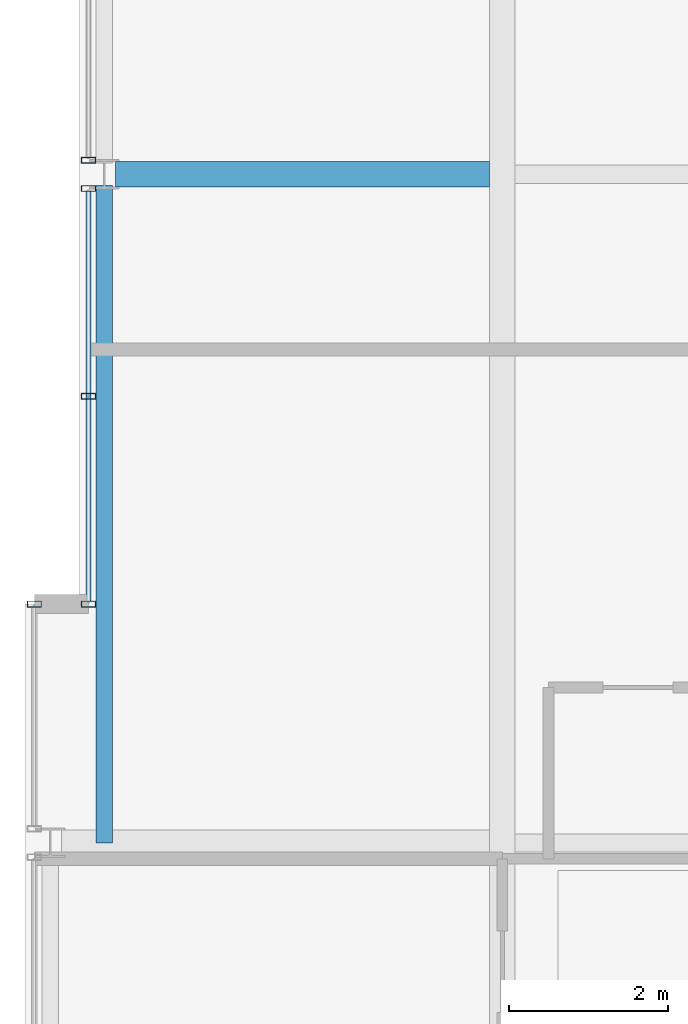
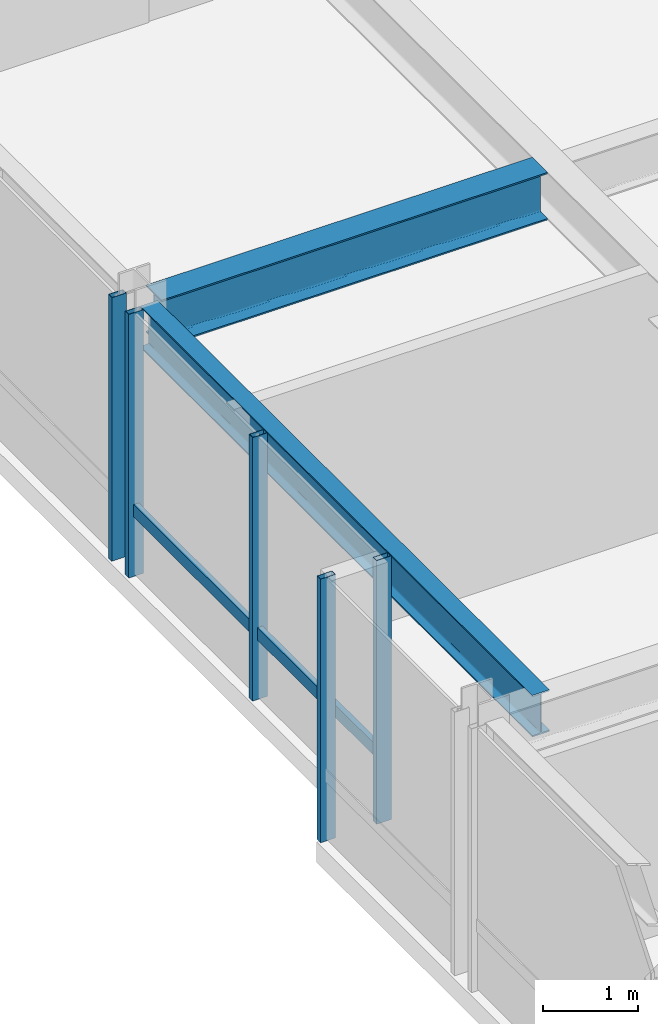
# One storey, part 11 of 33: 6 members, 2 beams, 3 elements without a shape of their own.
"""IFC4 building model written with IfcOpenShell, lengths in metres."""

from ifc_helpers import new_model, si_unit, direction, frame, origin, origin_2d, place, context, subcontext, project, spatial, hollow_rectangle, i_section, extrude, material, layer, layer_set, material_profile, profile_set, type_object, element, aggregate, save


model = new_model("IFC4")

# Units and contexts
model_context = context("Model", 3, precision=1e-05, world=origin(), true_north=direction((0.0, 1.0)))
body_context = subcontext(model_context, "Body", "Model", "MODEL_VIEW")
ifc_project = project(units=[si_unit("LENGTHUNIT", "METRE"), si_unit("AREAUNIT", "SQUARE_METRE"), si_unit("VOLUMEUNIT", "CUBIC_METRE"), si_unit("PLANEANGLEUNIT", "RADIAN"), si_unit("MASSUNIT", "GRAM", prefix="KILO")], contexts=[model_context])

# Site, building, storey
site_placement = place(None, origin())
site = spatial("IfcSite", under=ifc_project, at=site_placement, CompositionType="ELEMENT")
building_placement = place(site_placement, origin())
building = spatial("IfcBuilding", under=site, at=building_placement, Name="Drelvath Grand Hotel", CompositionType="ELEMENT")
storey_placement = place(building_placement, frame((0.0, 0.0, 268.64990234375)))
storey = spatial("IfcBuildingStorey", under=building, at=storey_placement, Name="L70", CompositionType="ELEMENT", Elevation=268.64990234375)

# Curtain wall, member
ifc_material_1 = material(Name="Platinum-Mist Anodised Aluminium Frame", Category="aluminium")
ifc_layer = layer(ifc_material_1, 0.199951171875)
ifc_layer_set = layer_set([ifc_layer], Name="Platinum-Mist Anodised Aluminium Frame")
curtain_wall_type = type_object("IfcCurtainWallType", Name="Stick Curtain Wall CW-05 Platinum Mist High-Rise", PredefinedType="NOTDEFINED", material=ifc_layer_set)
curtain_wall_1_placement = place(storey_placement, origin())
curtain_wall_1 = element("IfcCurtainWall", 1, at=curtain_wall_1_placement, inside=storey, type_object=curtain_wall_type, Name="L70 CW-05 Curtain Wall CW05-L70-WM1", PredefinedType="NOTDEFINED")
ifc_material_profile_1 = material_profile(ifc_material_1, hollow_rectangle(XDim=0.06494140625, YDim=0.159912109375, WallThickness=0.00390625, at=origin_2d()), Name="HSS160X65X4")
ifc_profile_set_1 = profile_set([ifc_material_profile_1], Name="Platinum-Mist Anodised Aluminium Frame")
member_type_1 = type_object("IfcMemberType", Name="Curtain Wall Horizontal Transom CW-05 HSS160X65X4", PredefinedType="USERDEFINED", material=ifc_profile_set_1)
member_1_placement = place(storey_placement, frame((-21.39990234375, 21.639892578125, 0.84765625), z_axis=(0.0, 1.0, 0.0), x_axis=(-1.0, 0.0, 0.0)))
member_1 = element("IfcMember", 2, at=member_1_placement, type_object=member_type_1, Name="CW05-L70-WM1 Sill Transom", ObjectType="TRANSOM", PredefinedType="USERDEFINED", context=body_context, shape_type="SweptSolid", body=[
    extrude(hollow_rectangle(XDim=0.06494140625, YDim=0.159912109375, WallThickness=0.00390625, at=origin_2d()), origin(), (0.0, 0.0, 1.0), 5.141845703125),
])

curtain_wall_2_placement = place(storey_placement, origin())
curtain_wall_2 = element("IfcCurtainWall", 3, at=curtain_wall_2_placement, inside=storey, type_object=curtain_wall_type, Name="L70 CW-05 Curtain Wall CW05-L70-WS2", PredefinedType="NOTDEFINED")
ifc_material_profile_2 = material_profile(ifc_material_1, hollow_rectangle(XDim=0.074951171875, YDim=0.179931640625, WallThickness=0.0048828125, at=origin_2d()), Name="HSS180X75X5")
ifc_profile_set_2 = profile_set([ifc_material_profile_2], Name="Platinum-Mist Anodised Aluminium Frame")
member_type_2 = type_object("IfcMemberType", Name="Curtain Wall Vertical Mullion CW-05 HSS180X75X5", PredefinedType="MULLION", material=ifc_profile_set_2)
member_2_placement = place(storey_placement, frame((-22.080078125, 21.60009765625, 0.0), z_axis=(0.0, 0.0, 1.0), x_axis=(0.0, 1.0, 0.0)))
member_2 = element("IfcMember", 4, at=member_2_placement, type_object=member_type_2, Name="CW05-L70-WS2 Mullion 2", PredefinedType="MULLION", context=body_context, shape_type="SweptSolid", body=[
    extrude(hollow_rectangle(XDim=0.074951171875, YDim=0.179931640625, WallThickness=0.0048828125, at=origin_2d()), origin(), (0.0, 0.0, 1.0), 3.39013671875),
])
aggregate(curtain_wall_2, [member_2])

# Member
member_3_placement = place(storey_placement, frame((-21.39990234375, 21.60009765625, 0.0), z_axis=(0.0, 0.0, 1.0), x_axis=(0.0, 1.0, 0.0)))
member_3 = element("IfcMember", 5, at=member_3_placement, type_object=member_type_2, Name="CW05-L70-WM1 Mullion 1", PredefinedType="MULLION", context=body_context, shape_type="SweptSolid", body=[
    extrude(hollow_rectangle(XDim=0.074951171875, YDim=0.179931640625, WallThickness=0.0048828125, at=origin_2d()), origin(), (0.0, 0.0, 1.0), 3.39013671875),
])

member_4_placement = place(storey_placement, frame((-21.39990234375, 24.2109375, 0.0), z_axis=(0.0, 0.0, 1.0), x_axis=(0.0, 1.0, 0.0)))
member_4 = element("IfcMember", 6, at=member_4_placement, type_object=member_type_2, Name="CW05-L70-WM1 Mullion 2", PredefinedType="MULLION", context=body_context, shape_type="SweptSolid", body=[
    extrude(hollow_rectangle(XDim=0.074951171875, YDim=0.179931640625, WallThickness=0.0048828125, at=origin_2d()), origin(), (0.0, 0.0, 1.0), 3.39013671875),
])

member_5_placement = place(storey_placement, frame((-21.39990234375, 26.82177734375, 0.0), z_axis=(0.0, 0.0, 1.0), x_axis=(0.0, 1.0, 0.0)))
member_5 = element("IfcMember", 7, at=member_5_placement, type_object=member_type_2, Name="CW05-L70-WM1 Mullion 3", PredefinedType="MULLION", context=body_context, shape_type="SweptSolid", body=[
    extrude(hollow_rectangle(XDim=0.074951171875, YDim=0.179931640625, WallThickness=0.0048828125, at=origin_2d()), origin(), (0.0, 0.0, 1.0), 3.39013671875),
])

aggregate(curtain_wall_1, [member_3, member_4, member_5, member_1])

# Curtain wall, member
curtain_wall_3_placement = place(storey_placement, origin())
curtain_wall_3 = element("IfcCurtainWall", 8, at=curtain_wall_3_placement, inside=storey, type_object=curtain_wall_type, Name="L70 CW-05 Curtain Wall CW05-L70-WM2", PredefinedType="NOTDEFINED")
member_6_placement = place(storey_placement, frame((-21.39990234375, 27.17822265625, 0.0), z_axis=(0.0, 0.0, 1.0), x_axis=(0.0, 1.0, 0.0)))
member_6 = element("IfcMember", 9, at=member_6_placement, type_object=member_type_2, Name="CW05-L70-WM2 Mullion 1", PredefinedType="MULLION", context=body_context, shape_type="SweptSolid", body=[
    extrude(hollow_rectangle(XDim=0.074951171875, YDim=0.179931640625, WallThickness=0.0048828125, at=origin_2d()), origin(), (0.0, 0.0, 1.0), 3.39013671875),
])
aggregate(curtain_wall_3, [member_6])

# Beams
ifc_material_2 = material(Name="Steel ASTM A992 Gr 50", Category="steel")
ifc_material_profile_3 = material_profile(ifc_material_2, i_section(OverallWidth=0.210205078125, OverallDepth=0.53662109375, WebThickness=0.010986328125, FlangeThickness=0.017333984375, FilletRadius=0.01806640625, at=origin_2d()), Name="W21X68")
ifc_profile_set_3 = profile_set([ifc_material_profile_3], Name="Steel ASTM A992 Gr 50")
beam_type_1 = type_object("IfcBeamType", Name="Perimeter Spandrel Beam W21X68", PredefinedType="SPANDREL", material=ifc_profile_set_3)
beam_1_placement = place(storey_placement, frame((-21.199951171875, 18.60009765625, 3.121826171875), z_axis=(0.0, 1.0, 0.0), x_axis=(-1.0, 0.0, 0.0)))
element("IfcBeam", 10, at=beam_1_placement, inside=storey, type_object=beam_type_1, Name="L70 Spandrel West Mid S", PredefinedType="SPANDREL", context=body_context, shape_type="SweptSolid", body=[
    extrude(i_section(OverallWidth=0.210205078125, OverallDepth=0.53662109375, WebThickness=0.010986328125, FlangeThickness=0.017333984375, FilletRadius=0.01806640625, at=origin_2d()), origin(), (0.0, 0.0, 1.0), 8.260009765625),
])
ifc_material_profile_4 = material_profile(ifc_material_2, i_section(OverallWidth=0.323974609375, OverallDepth=0.611083984375, WebThickness=0.0126953125, FlangeThickness=0.01904296875, FilletRadius=0.02197265625, at=origin_2d()), Name="W24X104")
ifc_profile_set_4 = profile_set([ifc_material_profile_4], Name="Steel ASTM A992 Gr 50")
beam_type_2 = type_object("IfcBeamType", Name="Primary Floor Girder W24X104", PredefinedType="BEAM", material=ifc_profile_set_4)
beam_2_placement = place(storey_placement, frame((-21.06005859375, 27.0, 3.084716796875), z_axis=(1.0, 0.0, 0.0), x_axis=(0.0, 1.0, 0.0)))
element("IfcBeam", 11, at=beam_2_placement, inside=storey, type_object=beam_type_2, Name="L70 West Wing Girder E", PredefinedType="BEAM", context=body_context, shape_type="SweptSolid", body=[
    extrude(i_section(OverallWidth=0.323974609375, OverallDepth=0.611083984375, WebThickness=0.0126953125, FlangeThickness=0.01904296875, FilletRadius=0.02197265625, at=origin_2d()), origin(), (0.0, 0.0, 1.0), 4.697998046875),
])

save(model, "model.ifc")
